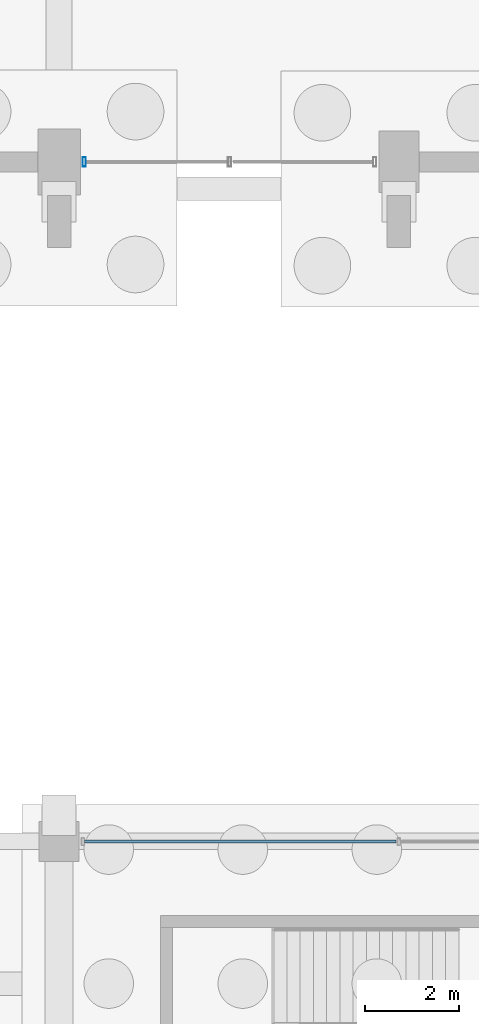
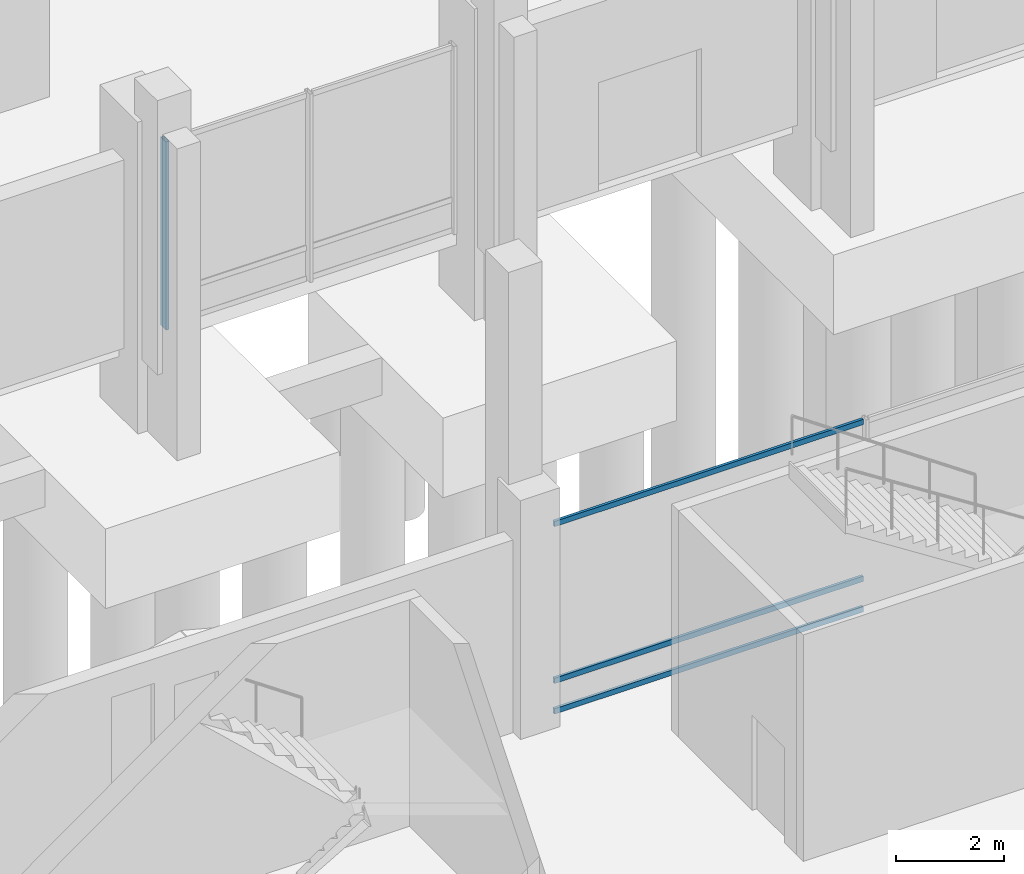
# One storey, part 56 of 192: 4 members, 2 elements without a shape of their own.
"""IFC4 building model written with IfcOpenShell, lengths in metres."""

from ifc_helpers import new_model, si_unit, direction, frame, origin, origin_2d, place, context, subcontext, project, spatial, hollow_rectangle, extrude, material, material_profile, profile_set, type_object, element, aggregate, save


model = new_model("IFC4")

# Units and contexts
model_context = context("Model", 3, precision=1e-05, world=origin(), true_north=direction((0.0, 1.0)))
body_context = subcontext(model_context, "Body", "Model", "MODEL_VIEW")
ifc_project = project(units=[si_unit("LENGTHUNIT", "METRE"), si_unit("AREAUNIT", "SQUARE_METRE"), si_unit("VOLUMEUNIT", "CUBIC_METRE"), si_unit("PLANEANGLEUNIT", "RADIAN"), si_unit("MASSUNIT", "GRAM", prefix="KILO")], contexts=[model_context])

# Site, building, storey
site_placement = place(None, origin())
site = spatial("IfcSite", under=ifc_project, at=site_placement, CompositionType="ELEMENT")
building_placement = place(site_placement, origin())
building = spatial("IfcBuilding", under=site, at=building_placement, Name="Cendralis Lancet Convention Centre", CompositionType="ELEMENT")
storey_placement = place(building_placement, origin())
storey = spatial("IfcBuildingStorey", under=building, at=storey_placement, Name="L00", CompositionType="ELEMENT", Elevation=0.0)

# Curtain wall, member
ifc_material = material(Name="Anodised bronze architectural aluminium", Category="aluminium")
curtain_wall_type = type_object("IfcCurtainWallType", Name="ARC-CW-CL01", PredefinedType="USERDEFINED", material=ifc_material)
curtain_wall_1_placement = place(storey_placement, origin())
curtain_wall_1 = element("IfcCurtainWall", 1, at=curtain_wall_1_placement, inside=storey, type_object=curtain_wall_type, Name="L00 Curtain Wall CW-CL1 #092", ObjectType="CURTAIN WALL", PredefinedType="USERDEFINED")
ifc_material_profile_1 = material_profile(ifc_material, hollow_rectangle(XDim=0.070068359375, YDim=0.199951171875, WallThickness=0.0048828125, at=origin_2d()), Name="AL-MULL 70x200x5.0")
ifc_profile_set_1 = profile_set([ifc_material_profile_1], Name="Anodised bronze architectural aluminium")
member_type_1 = type_object("IfcMemberType", Name="ARC-CW-ML02", PredefinedType="MULLION", material=ifc_profile_set_1)
member_1_placement = place(storey_placement, frame((94.135009765625, 50.39990234375, 0.0), z_axis=(0.0, 0.0, 1.0), x_axis=(1.0, 0.0, 0.0)))
member_1 = element("IfcMember", 2, at=member_1_placement, type_object=member_type_1, Name="Mullion CW2-CW-CL1-L00-092-M2", PredefinedType="MULLION", context=body_context, shape_type="SweptSolid", body=[
    extrude(hollow_rectangle(XDim=0.070068359375, YDim=0.199951171875, WallThickness=0.0048828125, at=origin_2d()), origin(), (0.0, 0.0, 1.0), 4.2548828125),
])
aggregate(curtain_wall_1, [member_1])

# Curtain wall, members
curtain_wall_2_placement = place(storey_placement, origin())
curtain_wall_2 = element("IfcCurtainWall", 3, at=curtain_wall_2_placement, inside=storey, type_object=curtain_wall_type, Name="L00 Curtain Wall CW-CL1 #164", ObjectType="CURTAIN WALL", PredefinedType="USERDEFINED")
ifc_material_profile_2 = material_profile(ifc_material, hollow_rectangle(XDim=0.06005859375, YDim=0.1201171875, WallThickness=0.00390625, at=origin_2d()), Name="AL-TRAN 60x120x4.0")
ifc_profile_set_2 = profile_set([ifc_material_profile_2], Name="Anodised bronze architectural aluminium")
member_type_2 = type_object("IfcMemberType", Name="ARC-CW-TR01", PredefinedType="USERDEFINED", material=ifc_profile_set_2)
member_2_placement = place(storey_placement, frame((94.135009765625, 36.0, 0.06005859375), z_axis=(1.0, 0.0, 0.0), x_axis=(0.0, 1.0, 0.0)))
member_2 = element("IfcMember", 4, at=member_2_placement, type_object=member_type_2, Name="Transom CW2-CW-CL1-L00-164-T0BOT", ObjectType="TRANSOM", PredefinedType="USERDEFINED", context=body_context, shape_type="SweptSolid", body=[
    extrude(hollow_rectangle(XDim=0.06005859375, YDim=0.1201171875, WallThickness=0.00390625, at=origin_2d()), origin(), (0.0, 0.0, 1.0), 6.60498046875),
])
member_3_placement = place(storey_placement, frame((94.135009765625, 36.0, 0.75), z_axis=(1.0, 0.0, 0.0), x_axis=(0.0, 1.0, 0.0)))
member_3 = element("IfcMember", 5, at=member_3_placement, type_object=member_type_2, Name="Transom CW2-CW-CL1-L00-164-T0MID", ObjectType="TRANSOM", PredefinedType="USERDEFINED", context=body_context, shape_type="SweptSolid", body=[
    extrude(hollow_rectangle(XDim=0.06005859375, YDim=0.1201171875, WallThickness=0.00390625, at=origin_2d()), origin(), (0.0, 0.0, 1.0), 6.60498046875),
])
member_4_placement = place(storey_placement, frame((94.135009765625, 36.0, 4.294921875), z_axis=(1.0, 0.0, 0.0), x_axis=(0.0, 1.0, 0.0)))
member_4 = element("IfcMember", 6, at=member_4_placement, type_object=member_type_2, Name="Transom CW2-CW-CL1-L00-164-T0TOP", ObjectType="TRANSOM", PredefinedType="USERDEFINED", context=body_context, shape_type="SweptSolid", body=[
    extrude(hollow_rectangle(XDim=0.06005859375, YDim=0.1201171875, WallThickness=0.00390625, at=origin_2d()), origin(), (0.0, 0.0, 1.0), 6.60498046875),
])
aggregate(curtain_wall_2, [member_2, member_3, member_4])

save(model, "model.ifc")
